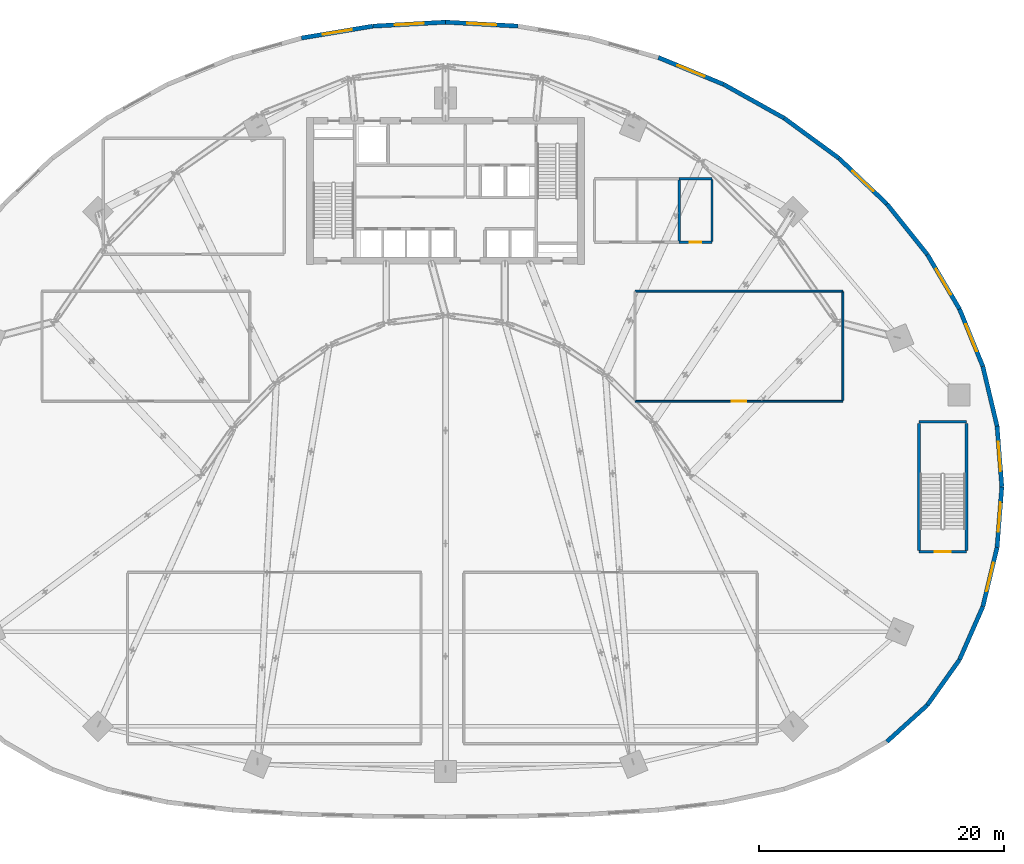
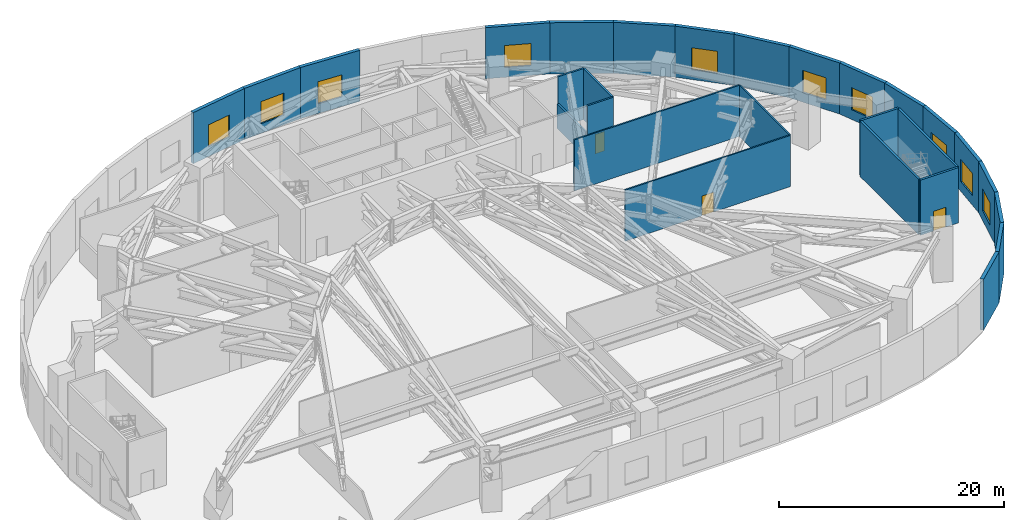
# One storey, part 16 of 19: 28 walls, 10 windows, 3 doors, 13 openings.
"""IFC4 building model written with IfcOpenShell, lengths in metres."""

from ifc_helpers import new_model, si_unit, direction, frame, frame_2d, origin, place, context, subcontext, project, spatial, rectangle, extrude, source, transform, mapped, material, layer, layer_set, type_object, type_shapes, element, fill, save


model = new_model("IFC4")

# Units and contexts
model_context = context("Model", 3, precision=1e-05, world=origin(), true_north=direction((0.0, 1.0)))
body_context = subcontext(model_context, "Body", "Model", "MODEL_VIEW")
ifc_project = project(units=[si_unit("LENGTHUNIT", "METRE"), si_unit("AREAUNIT", "SQUARE_METRE"), si_unit("VOLUMEUNIT", "CUBIC_METRE"), si_unit("PLANEANGLEUNIT", "RADIAN"), si_unit("MASSUNIT", "GRAM", prefix="KILO")], contexts=[model_context])

# Site, building, storey
site_placement = place(None, origin())
site = spatial("IfcSite", under=ifc_project, at=site_placement, CompositionType="ELEMENT")
building_placement = place(site_placement, origin())
building = spatial("IfcBuilding", under=site, at=building_placement, Name="Breltana Convention Tower", CompositionType="ELEMENT")
storey_placement = place(building_placement, frame((0.0, 0.0, 24.0)))
storey = spatial("IfcBuildingStorey", under=building, at=storey_placement, Name="L04", CompositionType="ELEMENT", Elevation=24.0)

# Wall, opening, window
ifc_material_1 = material(Name="Limestone Buff Insulated Wall", Category="masonry")
ifc_layer_1 = layer(ifc_material_1, 0.35009765625, Name="Limestone Buff Insulated Wall")
ifc_layer_set_1 = layer_set([ifc_layer_1], Name="Limestone Buff Insulated Wall")
wall_type_1 = type_object("IfcWallType", Name="WL-EXT-POD-350", PredefinedType="SOLIDWALL", material=ifc_layer_set_1)
shared_shape_1 = source(origin(), body_context, "Body", "SweptSolid", [
    extrude(rectangle(XDim=4.975341796875, YDim=0.35009765625, at=frame_2d((2.48779296875, 0.0))), origin(), (0.0, 0.0, 1.0), 5.550048828125),
])
wall_1_placement = place(storey_placement, frame((93.5, 42.0, 0.0), z_axis=(0.0, 0.0, 1.0), x_axis=(-0.07826870534, 0.996932299489, 0.0)))
wall_1 = element("IfcWall", 1, at=wall_1_placement, inside=storey, type_object=wall_type_1, Name="L04 limestone facade wall 1", PredefinedType="SOLIDWALL", context=body_context, shape_type="MappedRepresentation", body=[
    mapped(shared_shape_1, transform((0.0, 0.0, 0.0), scale=1.0)),
])
opening_1_placement = place(wall_1_placement, frame((1.28759765625, 0.0, 1.050048828125)))
opening_1 = element("IfcOpeningElement", 2, at=opening_1_placement, cuts=wall_1, Name="Opening W-02", PredefinedType="OPENING", context=body_context, shape_type="SweptSolid", body=[
    extrude(rectangle(XDim=2.39990234375, YDim=2.39990234375, at=frame_2d((1.199951171875, 1.199951171875))), frame((0.0, 0.18505859375, 0.0), z_axis=(0.0, -1.0, 0.0), x_axis=(1.0, 0.0, 0.0)), (0.0, 0.0, 1.0), 0.3701171875),
])
ifc_material_2 = material(Name="Glass Low-E Insulated Window", Category="glass")
window_type = type_object("IfcWindowType", Name="WN-POD-2400X2400", PartitioningType="DOUBLE_PANEL_VERTICAL", PredefinedType="WINDOW", material=ifc_material_2)
shared_shape_2 = source(origin(), body_context, "Body", "SweptSolid", [
    extrude(rectangle(XDim=2.39990234375, YDim=2.39990234375, at=frame_2d((1.199951171875, 1.199951171875))), frame((0.0, 0.030029296875, 0.0), z_axis=(0.0, -1.0, 0.0), x_axis=(1.0, 0.0, 0.0)), (0.0, 0.0, 1.0), 0.06005859375),
])
type_shapes(window_type, [shared_shape_2])
window_1_placement = place(opening_1_placement, origin())
window_1 = element("IfcWindow", 3, at=window_1_placement, inside=storey, type_object=window_type, Name="L04 tripartite window 1.1", OverallHeight=2.39990234375, OverallWidth=2.39990234375, PartitioningType="DOUBLE_PANEL_VERTICAL", PredefinedType="WINDOW", context=body_context, shape_type="MappedRepresentation", body=[
    mapped(shared_shape_2, transform((0.0, 0.0, 0.0), scale=1.0)),
])
fill(opening_1, window_1)

wall_2_placement = place(storey_placement, frame((93.110595703125, 37.0400390625, 0.0), z_axis=(0.0, 0.0, 1.0), x_axis=(0.07826870534, 0.996932299489, 0.0)))
wall_2 = element("IfcWall", 4, at=wall_2_placement, inside=storey, type_object=wall_type_1, Name="L04 limestone facade wall 48", PredefinedType="SOLIDWALL", context=body_context, shape_type="MappedRepresentation", body=[
    mapped(shared_shape_1, transform((0.0, 0.0, 0.0), scale=1.0)),
])
opening_2_placement = place(wall_2_placement, frame((1.28759765625, 0.0, 1.050048828125)))
opening_2 = element("IfcOpeningElement", 5, at=opening_2_placement, cuts=wall_2, Name="Opening W-02", PredefinedType="OPENING", context=body_context, shape_type="SweptSolid", body=[
    extrude(rectangle(XDim=2.39990234375, YDim=2.39990234375, at=frame_2d((1.199951171875, 1.199951171875))), frame((0.0, 0.18505859375, 0.0), z_axis=(0.0, -1.0, 0.0), x_axis=(1.0, 0.0, 0.0)), (0.0, 0.0, 1.0), 0.3701171875),
])
window_2_placement = place(opening_2_placement, origin())
window_2 = element("IfcWindow", 6, at=window_2_placement, inside=storey, type_object=window_type, Name="L04 tripartite window 48.1", OverallHeight=2.39990234375, OverallWidth=2.39990234375, PartitioningType="DOUBLE_PANEL_VERTICAL", PredefinedType="WINDOW", context=body_context, shape_type="MappedRepresentation", body=[
    mapped(shared_shape_2, transform((0.0, 0.0, 0.0), scale=1.0)),
])
fill(opening_2, window_2)

# Wall
shared_shape_3 = source(origin(), body_context, "Body", "SweptSolid", [
    extrude(rectangle(XDim=5.011474609375, YDim=0.35009765625, at=frame_2d((2.505859375, 0.0))), origin(), (0.0, 0.0, 1.0), 5.550048828125),
])
wall_3_placement = place(storey_placement, frame((93.110595703125, 46.9599609375, 0.0), z_axis=(0.0, 0.0, 1.0), x_axis=(-0.23164248061, 0.972800987446, 0.0)))
element("IfcWall", 7, at=wall_3_placement, inside=storey, type_object=wall_type_1, Name="L04 limestone facade wall 2", PredefinedType="SOLIDWALL", context=body_context, shape_type="MappedRepresentation", body=[
    mapped(shared_shape_3, transform((0.0, 0.0, 0.0), scale=1.0)),
])

# Wall, opening, window
shared_shape_4 = source(origin(), body_context, "Body", "SweptSolid", [
    extrude(rectangle(XDim=5.080810546875, YDim=0.35009765625, at=frame_2d((2.54052734375, 0.0))), origin(), (0.0, 0.0, 1.0), 5.550048828125),
])
wall_4_placement = place(storey_placement, frame((91.94970703125, 51.835205078125, 0.0), z_axis=(0.0, 0.0, 1.0), x_axis=(-0.376538155573, 0.926401110425, 0.0)))
wall_4 = element("IfcWall", 8, at=wall_4_placement, inside=storey, type_object=wall_type_1, Name="L04 limestone facade wall 3", PredefinedType="SOLIDWALL", context=body_context, shape_type="MappedRepresentation", body=[
    mapped(shared_shape_4, transform((0.0, 0.0, 0.0), scale=1.0)),
])
opening_3_placement = place(wall_4_placement, frame((1.34033203125, 0.0, 1.050048828125)))
opening_3 = element("IfcOpeningElement", 9, at=opening_3_placement, cuts=wall_4, Name="Opening W-02", PredefinedType="OPENING", context=body_context, shape_type="SweptSolid", body=[
    extrude(rectangle(XDim=2.39990234375, YDim=2.39990234375, at=frame_2d((1.199951171875, 1.199951171875))), frame((0.0, 0.18505859375, 0.0), z_axis=(0.0, -1.0, 0.0), x_axis=(1.0, 0.0, 0.0)), (0.0, 0.0, 1.0), 0.3701171875),
])
window_3_placement = place(opening_3_placement, origin())
window_3 = element("IfcWindow", 10, at=window_3_placement, inside=storey, type_object=window_type, Name="L04 tripartite window 3.1", OverallHeight=2.39990234375, OverallWidth=2.39990234375, PartitioningType="DOUBLE_PANEL_VERTICAL", PredefinedType="WINDOW", context=body_context, shape_type="MappedRepresentation", body=[
    mapped(shared_shape_2, transform((0.0, 0.0, 0.0), scale=1.0)),
])
fill(opening_3, window_3)

shared_shape_5 = source(origin(), body_context, "Body", "SweptSolid", [
    extrude(rectangle(XDim=5.17724609375, YDim=0.35009765625, at=frame_2d((2.588623046875, 0.0))), origin(), (0.0, 0.0, 1.0), 5.550048828125),
])
wall_5_placement = place(storey_placement, frame((90.03662109375, 56.5419921875, 0.0), z_axis=(0.0, 0.0, 1.0), x_axis=(-0.508449663637, 0.861091713784, 0.0)))
wall_5 = element("IfcWall", 11, at=wall_5_placement, inside=storey, type_object=wall_type_1, Name="L04 limestone facade wall 4", PredefinedType="SOLIDWALL", context=body_context, shape_type="MappedRepresentation", body=[
    mapped(shared_shape_5, transform((0.0, 0.0, 0.0), scale=1.0)),
])
opening_4_placement = place(wall_5_placement, frame((1.388671875, 0.0, 1.050048828125)))
opening_4 = element("IfcOpeningElement", 12, at=opening_4_placement, cuts=wall_5, Name="Opening W-02", PredefinedType="OPENING", context=body_context, shape_type="SweptSolid", body=[
    extrude(rectangle(XDim=2.39990234375, YDim=2.39990234375, at=frame_2d((1.199951171875, 1.199951171875))), frame((0.0, 0.18505859375, 0.0), z_axis=(0.0, -1.0, 0.0), x_axis=(1.0, 0.0, 0.0)), (0.0, 0.0, 1.0), 0.3701171875),
])
window_4_placement = place(opening_4_placement, origin())
window_4 = element("IfcWindow", 13, at=window_4_placement, inside=storey, type_object=window_type, Name="L04 tripartite window 4.1", OverallHeight=2.39990234375, OverallWidth=2.39990234375, PartitioningType="DOUBLE_PANEL_VERTICAL", PredefinedType="WINDOW", context=body_context, shape_type="MappedRepresentation", body=[
    mapped(shared_shape_2, transform((0.0, 0.0, 0.0), scale=1.0)),
])
fill(opening_4, window_4)

# Wall
shared_shape_6 = source(origin(), body_context, "Body", "SweptSolid", [
    extrude(rectangle(XDim=5.292724609375, YDim=0.35009765625, at=frame_2d((2.646484375, 0.0))), origin(), (0.0, 0.0, 1.0), 5.550048828125),
])
wall_6_placement = place(storey_placement, frame((87.404296875, 61.0, 0.0), z_axis=(0.0, 0.0, 1.0), x_axis=(-0.624740048177, 0.780832806818, 0.0)))
element("IfcWall", 14, at=wall_6_placement, inside=storey, type_object=wall_type_1, Name="L04 limestone facade wall 5", PredefinedType="SOLIDWALL", context=body_context, shape_type="MappedRepresentation", body=[
    mapped(shared_shape_6, transform((0.0, 0.0, 0.0), scale=1.0)),
])

# Wall, opening, window
shared_shape_7 = source(origin(), body_context, "Body", "SweptSolid", [
    extrude(rectangle(XDim=5.419189453125, YDim=0.35009765625, at=frame_2d((2.70947265625, 0.0))), origin(), (0.0, 0.0, 1.0), 5.550048828125),
])
wall_7_placement = place(storey_placement, frame((84.09765625, 65.1328125, 0.0), z_axis=(0.0, 0.0, 1.0), x_axis=(-0.724150787336, 0.689641673046, 0.0)))
wall_7 = element("IfcWall", 15, at=wall_7_placement, inside=storey, type_object=wall_type_1, Name="L04 limestone facade wall 6", PredefinedType="SOLIDWALL", context=body_context, shape_type="MappedRepresentation", body=[
    mapped(shared_shape_7, transform((0.0, 0.0, 0.0), scale=1.0)),
])
opening_5_placement = place(wall_7_placement, frame((1.509521484375, 0.0, 1.050048828125)))
opening_5 = element("IfcOpeningElement", 16, at=opening_5_placement, cuts=wall_7, Name="Opening W-02", PredefinedType="OPENING", context=body_context, shape_type="SweptSolid", body=[
    extrude(rectangle(XDim=2.39990234375, YDim=2.39990234375, at=frame_2d((1.199951171875, 1.199951171875))), frame((0.0, 0.18505859375, 0.0), z_axis=(0.0, -1.0, 0.0), x_axis=(1.0, 0.0, 0.0)), (0.0, 0.0, 1.0), 0.3701171875),
])
window_5_placement = place(opening_5_placement, origin())
window_5 = element("IfcWindow", 17, at=window_5_placement, inside=storey, type_object=window_type, Name="L04 tripartite window 6.1", OverallHeight=2.39990234375, OverallWidth=2.39990234375, PartitioningType="DOUBLE_PANEL_VERTICAL", PredefinedType="WINDOW", context=body_context, shape_type="MappedRepresentation", body=[
    mapped(shared_shape_2, transform((0.0, 0.0, 0.0), scale=1.0)),
])
fill(opening_5, window_5)

# Walls
shared_shape_8 = source(origin(), body_context, "Body", "SweptSolid", [
    extrude(rectangle(XDim=5.546630859375, YDim=0.35009765625, at=frame_2d((2.7734375, 0.0))), origin(), (0.0, 0.0, 1.0), 5.550048828125),
])
wall_8_placement = place(storey_placement, frame((80.17333984375, 68.8701171875, 0.0), z_axis=(0.0, 0.0, 1.0), x_axis=(-0.806767275837, 0.590869327887, 0.0)))
element("IfcWall", 18, at=wall_8_placement, inside=storey, type_object=wall_type_1, Name="L04 limestone facade wall 7", PredefinedType="SOLIDWALL", context=body_context, shape_type="MappedRepresentation", body=[
    mapped(shared_shape_8, transform((0.0, 0.0, 0.0), scale=1.0)),
])
shared_shape_9 = source(origin(), body_context, "Body", "SweptSolid", [
    extrude(rectangle(XDim=5.666748046875, YDim=0.35009765625, at=frame_2d((2.83349609375, 0.0))), origin(), (0.0, 0.0, 1.0), 5.550048828125),
])
wall_9_placement = place(storey_placement, frame((75.698486328125, 72.1474609375, 0.0), z_axis=(0.0, 0.0, 1.0), x_axis=(-0.873233089296, 0.487302751642, 0.0)))
element("IfcWall", 19, at=wall_9_placement, inside=storey, type_object=wall_type_1, Name="L04 limestone facade wall 8", PredefinedType="SOLIDWALL", context=body_context, shape_type="MappedRepresentation", body=[
    mapped(shared_shape_9, transform((0.0, 0.0, 0.0), scale=1.0)),
])

# Wall, opening, window
shared_shape_10 = source(origin(), body_context, "Body", "SweptSolid", [
    extrude(rectangle(XDim=5.77294921875, YDim=0.35009765625, at=frame_2d((2.886474609375, 0.0))), origin(), (0.0, 0.0, 1.0), 5.550048828125),
])
wall_10_placement = place(storey_placement, frame((70.75, 74.908935546875, 0.0), z_axis=(0.0, 0.0, 1.0), x_axis=(-0.924645688874, 0.380828504771, 0.0)))
wall_10 = element("IfcWall", 20, at=wall_10_placement, inside=storey, type_object=wall_type_1, Name="L04 limestone facade wall 9", PredefinedType="SOLIDWALL", context=body_context, shape_type="MappedRepresentation", body=[
    mapped(shared_shape_10, transform((0.0, 0.0, 0.0), scale=1.0)),
])
opening_6_placement = place(wall_10_placement, frame((1.686279296875, 0.0, 1.050048828125)))
opening_6 = element("IfcOpeningElement", 21, at=opening_6_placement, cuts=wall_10, Name="Opening W-02", PredefinedType="OPENING", context=body_context, shape_type="SweptSolid", body=[
    extrude(rectangle(XDim=2.39990234375, YDim=2.39990234375, at=frame_2d((1.199951171875, 1.199951171875))), frame((0.0, 0.18505859375, 0.0), z_axis=(0.0, -1.0, 0.0), x_axis=(1.0, 0.0, 0.0)), (0.0, 0.0, 1.0), 0.3701171875),
])
window_6_placement = place(opening_6_placement, origin())
window_6 = element("IfcWindow", 22, at=window_6_placement, inside=storey, type_object=window_type, Name="L04 tripartite window 9.1", OverallHeight=2.39990234375, OverallWidth=2.39990234375, PartitioningType="DOUBLE_PANEL_VERTICAL", PredefinedType="WINDOW", context=body_context, shape_type="MappedRepresentation", body=[
    mapped(shared_shape_2, transform((0.0, 0.0, 0.0), scale=1.0)),
])
fill(opening_6, window_6)

shared_shape_11 = source(origin(), body_context, "Body", "SweptSolid", [
    extrude(rectangle(XDim=5.91748046875, YDim=0.35009765625, at=frame_2d((2.958740234375, 0.0))), origin(), (0.0, 0.0, 1.0), 5.550048828125),
])
wall_11_placement = place(storey_placement, frame((42.06103515625, 79.6748046875, 0.0), z_axis=(0.0, 0.0, 1.0), x_axis=(-0.986480762285, -0.163877105303, 0.0)))
wall_11 = element("IfcWall", 23, at=wall_11_placement, inside=storey, type_object=wall_type_1, Name="L04 limestone facade wall 14", PredefinedType="SOLIDWALL", context=body_context, shape_type="MappedRepresentation", body=[
    mapped(shared_shape_11, transform((0.0, 0.0, 0.0), scale=1.0)),
])
opening_7_placement = place(wall_11_placement, frame((1.7587890625, 0.0, 1.050048828125)))
opening_7 = element("IfcOpeningElement", 24, at=opening_7_placement, cuts=wall_11, Name="Opening W-02", PredefinedType="OPENING", context=body_context, shape_type="SweptSolid", body=[
    extrude(rectangle(XDim=2.39990234375, YDim=2.39990234375, at=frame_2d((1.199951171875, 1.199951171875))), frame((0.0, 0.18505859375, 0.0), z_axis=(0.0, -1.0, 0.0), x_axis=(1.0, 0.0, 0.0)), (0.0, 0.0, 1.0), 0.3701171875),
])
window_7_placement = place(opening_7_placement, origin())
window_7 = element("IfcWindow", 25, at=window_7_placement, inside=storey, type_object=window_type, Name="L04 tripartite window 14.1", OverallHeight=2.39990234375, OverallWidth=2.39990234375, PartitioningType="DOUBLE_PANEL_VERTICAL", PredefinedType="WINDOW", context=body_context, shape_type="MappedRepresentation", body=[
    mapped(shared_shape_2, transform((0.0, 0.0, 0.0), scale=1.0)),
])
fill(opening_7, window_7)

shared_shape_12 = source(origin(), body_context, "Body", "SweptSolid", [
    extrude(rectangle(XDim=5.94775390625, YDim=0.35009765625, at=frame_2d((2.973876953125, 0.0))), origin(), (0.0, 0.0, 1.0), 5.550048828125),
])
wall_12_placement = place(storey_placement, frame((53.93896484375, 79.6748046875, 0.0), z_axis=(0.0, 0.0, 1.0), x_axis=(-0.998504240403, 0.054674325751, 0.0)))
wall_12 = element("IfcWall", 26, at=wall_12_placement, inside=storey, type_object=wall_type_1, Name="L04 limestone facade wall 12", PredefinedType="SOLIDWALL", context=body_context, shape_type="MappedRepresentation", body=[
    mapped(shared_shape_12, transform((0.0, 0.0, 0.0), scale=1.0)),
])
opening_8_placement = place(wall_12_placement, frame((1.77392578125, 0.0, 1.050048828125)))
opening_8 = element("IfcOpeningElement", 27, at=opening_8_placement, cuts=wall_12, Name="Opening W-02", PredefinedType="OPENING", context=body_context, shape_type="SweptSolid", body=[
    extrude(rectangle(XDim=2.39990234375, YDim=2.39990234375, at=frame_2d((1.199951171875, 1.199951171875))), frame((0.0, 0.18505859375, 0.0), z_axis=(0.0, -1.0, 0.0), x_axis=(1.0, 0.0, 0.0)), (0.0, 0.0, 1.0), 0.3701171875),
])
window_8_placement = place(opening_8_placement, origin())
window_8 = element("IfcWindow", 28, at=window_8_placement, inside=storey, type_object=window_type, Name="L04 tripartite window 12.1", OverallHeight=2.39990234375, OverallWidth=2.39990234375, PartitioningType="DOUBLE_PANEL_VERTICAL", PredefinedType="WINDOW", context=body_context, shape_type="MappedRepresentation", body=[
    mapped(shared_shape_2, transform((0.0, 0.0, 0.0), scale=1.0)),
])
fill(opening_8, window_8)

wall_13_placement = place(storey_placement, frame((48.0, 80.0, 0.0), z_axis=(0.0, 0.0, 1.0), x_axis=(-0.998504240403, -0.054674325751, 0.0)))
wall_13 = element("IfcWall", 29, at=wall_13_placement, inside=storey, type_object=wall_type_1, Name="L04 limestone facade wall 13", PredefinedType="SOLIDWALL", context=body_context, shape_type="MappedRepresentation", body=[
    mapped(shared_shape_12, transform((0.0, 0.0, 0.0), scale=1.0)),
])
opening_9_placement = place(wall_13_placement, frame((1.77392578125, 0.0, 1.050048828125)))
opening_9 = element("IfcOpeningElement", 30, at=opening_9_placement, cuts=wall_13, Name="Opening W-02", PredefinedType="OPENING", context=body_context, shape_type="SweptSolid", body=[
    extrude(rectangle(XDim=2.39990234375, YDim=2.39990234375, at=frame_2d((1.199951171875, 1.199951171875))), frame((0.0, 0.18505859375, 0.0), z_axis=(0.0, -1.0, 0.0), x_axis=(1.0, 0.0, 0.0)), (0.0, 0.0, 1.0), 0.3701171875),
])
window_9_placement = place(opening_9_placement, origin())
window_9 = element("IfcWindow", 31, at=window_9_placement, inside=storey, type_object=window_type, Name="L04 tripartite window 13.1", OverallHeight=2.39990234375, OverallWidth=2.39990234375, PartitioningType="DOUBLE_PANEL_VERTICAL", PredefinedType="WINDOW", context=body_context, shape_type="MappedRepresentation", body=[
    mapped(shared_shape_2, transform((0.0, 0.0, 0.0), scale=1.0)),
])
fill(opening_9, window_9)

shared_shape_13 = source(origin(), body_context, "Body", "SweptSolid", [
    extrude(rectangle(XDim=4.968994140625, YDim=0.35009765625, at=frame_2d((2.484375, 0.0))), origin(), (0.0, 0.0, 1.0), 5.550048828125),
])
wall_14_placement = place(storey_placement, frame((91.94970703125, 32.20849609375, 0.0), z_axis=(0.0, 0.0, 1.0), x_axis=(0.233623809029, 0.972327062184, 0.0)))
wall_14 = element("IfcWall", 32, at=wall_14_placement, inside=storey, type_object=wall_type_1, Name="L04 limestone facade wall 47", PredefinedType="SOLIDWALL", context=body_context, shape_type="MappedRepresentation", body=[
    mapped(shared_shape_13, transform((0.0, 0.0, 0.0), scale=1.0)),
])
opening_10_placement = place(wall_14_placement, frame((1.284423828125, 0.0, 1.050048828125)))
opening_10 = element("IfcOpeningElement", 33, at=opening_10_placement, cuts=wall_14, Name="Opening W-02", PredefinedType="OPENING", context=body_context, shape_type="SweptSolid", body=[
    extrude(rectangle(XDim=2.39990234375, YDim=2.39990234375, at=frame_2d((1.199951171875, 1.199951171875))), frame((0.0, 0.18505859375, 0.0), z_axis=(0.0, -1.0, 0.0), x_axis=(1.0, 0.0, 0.0)), (0.0, 0.0, 1.0), 0.3701171875),
])
window_10_placement = place(opening_10_placement, origin())
window_10 = element("IfcWindow", 34, at=window_10_placement, inside=storey, type_object=window_type, Name="L04 tripartite window 47.1", OverallHeight=2.39990234375, OverallWidth=2.39990234375, PartitioningType="DOUBLE_PANEL_VERTICAL", PredefinedType="WINDOW", context=body_context, shape_type="MappedRepresentation", body=[
    mapped(shared_shape_2, transform((0.0, 0.0, 0.0), scale=1.0)),
])
fill(opening_10, window_10)

# Walls
shared_shape_14 = source(origin(), body_context, "Body", "SweptSolid", [
    extrude(rectangle(XDim=4.756103515625, YDim=0.35009765625, at=frame_2d((2.3779296875, 0.0))), origin(), (0.0, 0.0, 1.0), 5.550048828125),
])
wall_15_placement = place(storey_placement, frame((90.03662109375, 27.854248046875, 0.0), z_axis=(0.0, 0.0, 1.0), x_axis=(0.402248274654, 0.915530625123, 0.0)))
element("IfcWall", 35, at=wall_15_placement, inside=storey, type_object=wall_type_1, Name="L04 limestone facade wall 46", PredefinedType="SOLIDWALL", context=body_context, shape_type="MappedRepresentation", body=[
    mapped(shared_shape_14, transform((0.0, 0.0, 0.0), scale=1.0)),
])
shared_shape_15 = source(origin(), body_context, "Body", "SweptSolid", [
    extrude(rectangle(XDim=4.54833984375, YDim=0.35009765625, at=frame_2d((2.274169921875, 0.0))), origin(), (0.0, 0.0, 1.0), 5.550048828125),
])
wall_16_placement = place(storey_placement, frame((87.404296875, 24.14501953125, 0.0), z_axis=(0.0, 0.0, 1.0), x_axis=(0.578742399763, 0.815510413616, 0.0)))
element("IfcWall", 36, at=wall_16_placement, inside=storey, type_object=wall_type_1, Name="L04 limestone facade wall 45", PredefinedType="SOLIDWALL", context=body_context, shape_type="MappedRepresentation", body=[
    mapped(shared_shape_15, transform((0.0, 0.0, 0.0), scale=1.0)),
])
shared_shape_16 = source(origin(), body_context, "Body", "SweptSolid", [
    extrude(rectangle(XDim=4.458740234375, YDim=0.35009765625, at=frame_2d((2.2294921875, 0.0))), origin(), (0.0, 0.0, 1.0), 5.550048828125),
])
wall_17_placement = place(storey_placement, frame((84.09765625, 21.154052734375, 0.0), z_axis=(0.0, 0.0, 1.0), x_axis=(0.741620092595, 0.670820123625, 0.0)))
element("IfcWall", 37, at=wall_17_placement, inside=storey, type_object=wall_type_1, Name="L04 limestone facade wall 44", PredefinedType="SOLIDWALL", context=body_context, shape_type="MappedRepresentation", body=[
    mapped(shared_shape_16, transform((0.0, 0.0, 0.0), scale=1.0)),
])

# Wall, opening, door
ifc_material_3 = material(Name="Concrete C40/50", Category="concrete")
ifc_layer_2 = layer(ifc_material_3, 0.219970703125, Name="Concrete C40/50")
ifc_layer_set_2 = layer_set([ifc_layer_2], Name="Concrete C40/50")
wall_type_2 = type_object("IfcWallType", Name="WL-SHAFT-220", PredefinedType="SOLIDWALL", material=ifc_layer_set_2)
shared_shape_17 = source(origin(), body_context, "Body", "SweptSolid", [
    extrude(rectangle(XDim=3.89013671875, YDim=0.219970703125, at=frame_2d((1.945068359375, 0.0))), origin(), (0.0, 0.0, 1.0), 6.0),
])
wall_18_placement = place(storey_placement, frame((86.719970703125, 36.68994140625, 0.0), z_axis=(0.0, 0.0, 1.0), x_axis=(1.0, 0.0, 0.0)))
wall_18 = element("IfcWall", 38, at=wall_18_placement, inside=storey, type_object=wall_type_2, Name="L04 interior partition W-L04-ST4-S", PredefinedType="SOLIDWALL", context=body_context, shape_type="MappedRepresentation", body=[
    mapped(shared_shape_17, transform((0.0, 0.0, 0.0), scale=1.0)),
])
opening_11_placement = place(wall_18_placement, frame((1.294921875, 0.0, 0.0)))
opening_11 = element("IfcOpeningElement", 39, at=opening_11_placement, cuts=wall_18, Name="Opening D-08", PredefinedType="OPENING", context=body_context, shape_type="SweptSolid", body=[
    extrude(rectangle(XDim=1.300048828125, YDim=2.14990234375, at=frame_2d((0.64990234375, 1.074951171875))), frame((0.0, 0.1201171875, 0.0), z_axis=(0.0, -1.0, 0.0), x_axis=(1.0, 0.0, 0.0)), (0.0, 0.0, 1.0), 0.239990234375),
])
ifc_material_4 = material(Name="Steel Fire Exit Door", Category="steel")
door_type_1 = type_object("IfcDoorType", Name="DR-FD120-1300", OperationType="NOTDEFINED", PredefinedType="DOOR", material=ifc_material_4)
shared_shape_18 = source(origin(), body_context, "Body", "SweptSolid", [
    extrude(rectangle(XDim=1.300048828125, YDim=2.14990234375, at=frame_2d((0.64990234375, 1.074951171875))), frame((0.0, 0.02490234375, 0.0), z_axis=(0.0, -1.0, 0.0), x_axis=(1.0, 0.0, 0.0)), (0.0, 0.0, 1.0), 0.050048828125),
])
type_shapes(door_type_1, [shared_shape_18])
door_1_placement = place(opening_11_placement, origin())
door_1 = element("IfcDoor", 40, at=door_1_placement, inside=storey, type_object=door_type_1, Name="L04 interior door D-L04-ST4", OperationType="SINGLE_SWING_LEFT", OverallHeight=2.14990234375, OverallWidth=1.300048828125, PredefinedType="DOOR", context=body_context, shape_type="MappedRepresentation", body=[
    mapped(shared_shape_18, transform((0.0, 0.0, 0.0), scale=1.0)),
])
fill(opening_11, door_1)

# Walls
wall_19_placement = place(storey_placement, frame((86.719970703125, 47.31005859375, 0.0), z_axis=(0.0, 0.0, 1.0), x_axis=(1.0, 0.0, 0.0)))
element("IfcWall", 41, at=wall_19_placement, inside=storey, type_object=wall_type_2, Name="L04 interior partition W-L04-ST4-N", PredefinedType="SOLIDWALL", context=body_context, shape_type="MappedRepresentation", body=[
    mapped(shared_shape_17, transform((0.0, 0.0, 0.0), scale=1.0)),
])
shared_shape_19 = source(origin(), body_context, "Body", "SweptSolid", [
    extrude(rectangle(XDim=10.3798828125, YDim=0.219970703125, at=frame_2d((5.18994140625, 0.0))), origin(), (0.0, 0.0, 1.0), 6.0),
])
for number, where, z_axis, x_axis, name in (
    (42, (86.719970703125, 36.81005859375, 0.0), (0.0, 0.0, 1.0), (0.0, 1.0, 0.0), "L04 interior partition W-L04-ST4-W"),
    (43, (90.610107421875, 36.81005859375, 0.0), (0.0, 0.0, 1.0), (0.0, 1.0, 0.0), "L04 interior partition W-L04-ST4-E"),
):
    element("IfcWall", number, at=place(storey_placement, frame(where, z_axis=z_axis, x_axis=x_axis)), inside=storey, type_object=wall_type_2, Name=name, PredefinedType="SOLIDWALL", context=body_context, shape_type="MappedRepresentation", body=[
        mapped(shared_shape_19, transform((0.0, 0.0, 0.0), scale=1.0)),
    ])
ifc_material_5 = material(Name="Cement Board Wet-Area Partition")
ifc_layer_3 = layer(ifc_material_5, 0.175048828125, Name="Cement Board Wet-Area Partition")
ifc_layer_set_3 = layer_set([ifc_layer_3], Name="Cement Board Wet-Area Partition")
wall_type_3 = type_object("IfcWallType", Name="WL-WET-175", PredefinedType="PARTITIONING", material=ifc_layer_set_3)
shared_shape_20 = source(origin(), body_context, "Body", "SweptSolid", [
    extrude(rectangle(XDim=5.042724609375, YDim=0.175048828125, at=frame_2d((2.521484375, 0.0))), origin(), (0.0, 0.0, 1.0), 5.550048828125),
])
wall_20_placement = place(storey_placement, frame((69.800048828125, 62.07861328125, 0.0), z_axis=(0.0, 0.0, 1.0), x_axis=(0.0, 1.0, 0.0)))
element("IfcWall", 44, at=wall_20_placement, inside=storey, type_object=wall_type_3, Name="L04 interior partition W-L04-WCA-E", PredefinedType="PARTITIONING", context=body_context, shape_type="MappedRepresentation", body=[
    mapped(shared_shape_20, transform((0.0, 0.0, 0.0), scale=1.0)),
])
shared_shape_21 = source(origin(), body_context, "Body", "SweptSolid", [
    extrude(rectangle(XDim=5.042724609375, YDim=0.175048828125, at=frame_2d((2.521484375, 0.0))), origin(), (0.0, 0.0, 1.0), 2.659912109375),
])
wall_21_placement = place(storey_placement, frame((67.112060546875, 62.07861328125, 0.0), z_axis=(0.0, 0.0, 1.0), x_axis=(0.0, 1.0, 0.0)))
element("IfcWall", 45, at=wall_21_placement, inside=storey, type_object=wall_type_3, Name="L04 interior partition W-L04-WCF-E", PredefinedType="PARTITIONING", context=body_context, shape_type="MappedRepresentation", body=[
    mapped(shared_shape_21, transform((0.0, 0.0, 0.0), scale=1.0)),
])

# Wall, opening, door
shared_shape_22 = source(origin(), body_context, "Body", "SweptSolid", [
    extrude(rectangle(XDim=2.68798828125, YDim=0.175048828125, at=frame_2d((1.343994140625, 0.0))), origin(), (0.0, 0.0, 1.0), 5.550048828125),
])
wall_22_placement = place(storey_placement, frame((67.112060546875, 62.0, 0.0), z_axis=(0.0, 0.0, 1.0), x_axis=(1.0, 0.0, 0.0)))
wall_22 = element("IfcWall", 46, at=wall_22_placement, inside=storey, type_object=wall_type_3, Name="L04 interior partition W-L04-WCA-S", PredefinedType="PARTITIONING", context=body_context, shape_type="MappedRepresentation", body=[
    mapped(shared_shape_22, transform((0.0, 0.0, 0.0), scale=1.0)),
])
opening_12_placement = place(wall_22_placement, frame((0.868896484375, 0.0, 0.0)))
opening_12 = element("IfcOpeningElement", 47, at=opening_12_placement, cuts=wall_22, Name="Opening D-16", PredefinedType="OPENING", context=body_context, shape_type="SweptSolid", body=[
    extrude(rectangle(XDim=0.949951171875, YDim=2.1201171875, at=frame_2d((0.47509765625, 1.06005859375))), frame((0.0, 0.09765625, 0.0), z_axis=(0.0, -1.0, 0.0), x_axis=(1.0, 0.0, 0.0)), (0.0, 0.0, 1.0), 0.195068359375),
])
ifc_material_6 = material(Name="Timber Laminate Accessible Door", Category="wood")
door_type_2 = type_object("IfcDoorType", Name="DR-ACC-950", OperationType="NOTDEFINED", PredefinedType="DOOR", material=ifc_material_6)
shared_shape_23 = source(origin(), body_context, "Body", "SweptSolid", [
    extrude(rectangle(XDim=0.949951171875, YDim=2.1201171875, at=frame_2d((0.47509765625, 1.06005859375))), frame((0.0, 0.02490234375, 0.0), z_axis=(0.0, -1.0, 0.0), x_axis=(1.0, 0.0, 0.0)), (0.0, 0.0, 1.0), 0.050048828125),
])
type_shapes(door_type_2, [shared_shape_23])
door_2_placement = place(opening_12_placement, origin())
door_2 = element("IfcDoor", 48, at=door_2_placement, inside=storey, type_object=door_type_2, Name="L04 interior door D-L04-WCA", OperationType="SINGLE_SWING_RIGHT", OverallHeight=2.1201171875, OverallWidth=0.949951171875, PredefinedType="DOOR", context=body_context, shape_type="MappedRepresentation", body=[
    mapped(shared_shape_23, transform((0.0, 0.0, 0.0), scale=1.0)),
])
fill(opening_12, door_2)

# Wall
ifc_material_7 = material(Name="Moisture-Resistant Gypsum Chase Wall")
ifc_layer_4 = layer(ifc_material_7, 0.179931640625, Name="Moisture-Resistant Gypsum Chase Wall")
ifc_layer_set_4 = layer_set([ifc_layer_4], Name="Moisture-Resistant Gypsum Chase Wall")
wall_type_4 = type_object("IfcWallType", Name="WL-PLUMB-180", PredefinedType="PLUMBINGWALL", material=ifc_layer_set_4)
shared_shape_24 = source(origin(), body_context, "Body", "SweptSolid", [
    extrude(rectangle(XDim=2.68798828125, YDim=0.179931640625, at=frame_2d((1.343994140625, 0.0))), origin(), (0.0, 0.0, 1.0), 5.550048828125),
])
wall_23_placement = place(storey_placement, frame((67.112060546875, 67.199951171875, 0.0), z_axis=(0.0, 0.0, 1.0), x_axis=(1.0, 0.0, 0.0)))
element("IfcWall", 49, at=wall_23_placement, inside=storey, type_object=wall_type_4, Name="L04 interior partition W-L04-WCA-N", PredefinedType="PLUMBINGWALL", context=body_context, shape_type="MappedRepresentation", body=[
    mapped(shared_shape_24, transform((0.0, 0.0, 0.0), scale=1.0)),
])

# Wall, opening, door
ifc_material_8 = material(Name="Gypsum Acoustic Drywall Partition")
ifc_layer_5 = layer(ifc_material_8, 0.14990234375, Name="Gypsum Acoustic Drywall Partition")
ifc_layer_set_5 = layer_set([ifc_layer_5], Name="Gypsum Acoustic Drywall Partition")
wall_type_5 = type_object("IfcWallType", Name="WL-PART-150", PredefinedType="PARTITIONING", material=ifc_layer_set_5)
shared_shape_25 = source(origin(), body_context, "Body", "SweptSolid", [
    extrude(rectangle(XDim=17.0, YDim=0.14990234375, at=frame_2d((8.5, 0.0))), origin(), (0.0, 0.0, 1.0), 5.550048828125),
])
wall_24_placement = place(storey_placement, frame((63.5, 49.0, 0.0), z_axis=(0.0, 0.0, 1.0), x_axis=(1.0, 0.0, 0.0)))
wall_24 = element("IfcWall", 50, at=wall_24_placement, inside=storey, type_object=wall_type_5, Name="L04 interior partition W-L04-TRN2-S", PredefinedType="PARTITIONING", context=body_context, shape_type="MappedRepresentation", body=[
    mapped(shared_shape_25, transform((0.0, 0.0, 0.0), scale=1.0)),
])
opening_13_placement = place(wall_24_placement, frame((7.89990234375, 0.0, 0.0)))
opening_13 = element("IfcOpeningElement", 51, at=opening_13_placement, cuts=wall_24, Name="Opening D-10", PredefinedType="OPENING", context=body_context, shape_type="SweptSolid", body=[
    extrude(rectangle(XDim=1.199951171875, YDim=2.14990234375, at=frame_2d((0.60009765625, 1.074951171875))), frame((0.0, 0.0849609375, 0.0), z_axis=(0.0, -1.0, 0.0), x_axis=(1.0, 0.0, 0.0)), (0.0, 0.0, 1.0), 0.169921875),
])
ifc_material_9 = material(Name="Timber Oak Veneer Fire Door", Category="wood")
door_type_3 = type_object("IfcDoorType", Name="DR-INT-1200", OperationType="NOTDEFINED", PredefinedType="DOOR", material=ifc_material_9)
shared_shape_26 = source(origin(), body_context, "Body", "SweptSolid", [
    extrude(rectangle(XDim=1.199951171875, YDim=2.14990234375, at=frame_2d((0.60009765625, 1.074951171875))), frame((0.0, 0.02490234375, 0.0), z_axis=(0.0, -1.0, 0.0), x_axis=(1.0, 0.0, 0.0)), (0.0, 0.0, 1.0), 0.050048828125),
])
type_shapes(door_type_3, [shared_shape_26])
door_3_placement = place(opening_13_placement, origin())
door_3 = element("IfcDoor", 52, at=door_3_placement, inside=storey, type_object=door_type_3, Name="L04 interior door D-L04-TRN2", OperationType="SINGLE_SWING_RIGHT", OverallHeight=2.14990234375, OverallWidth=1.199951171875, PredefinedType="DOOR", context=body_context, shape_type="MappedRepresentation", body=[
    mapped(shared_shape_26, transform((0.0, 0.0, 0.0), scale=1.0)),
])
fill(opening_13, door_3)

# Walls
wall_25_placement = place(storey_placement, frame((63.5, 58.0, 0.0), z_axis=(0.0, 0.0, 1.0), x_axis=(1.0, 0.0, 0.0)))
element("IfcWall", 53, at=wall_25_placement, inside=storey, type_object=wall_type_5, Name="L04 interior partition W-L04-TRN2-N", PredefinedType="PARTITIONING", context=body_context, shape_type="MappedRepresentation", body=[
    mapped(shared_shape_25, transform((0.0, 0.0, 0.0), scale=1.0)),
])
shared_shape_27 = source(origin(), body_context, "Body", "SweptSolid", [
    extrude(rectangle(XDim=8.865234375, YDim=0.14990234375, at=frame_2d((4.4326171875, 0.0))), origin(), (0.0, 0.0, 1.0), 5.550048828125),
])
wall_26_placement = place(storey_placement, frame((80.5, 49.0673828125, 0.0), z_axis=(0.0, 0.0, 1.0), x_axis=(0.0, 1.0, 0.0)))
element("IfcWall", 54, at=wall_26_placement, inside=storey, type_object=wall_type_5, Name="L04 interior partition W-L04-TRN2-E", PredefinedType="PARTITIONING", context=body_context, shape_type="MappedRepresentation", body=[
    mapped(shared_shape_27, transform((0.0, 0.0, 0.0), scale=1.0)),
])

save(model, "model.ifc")
